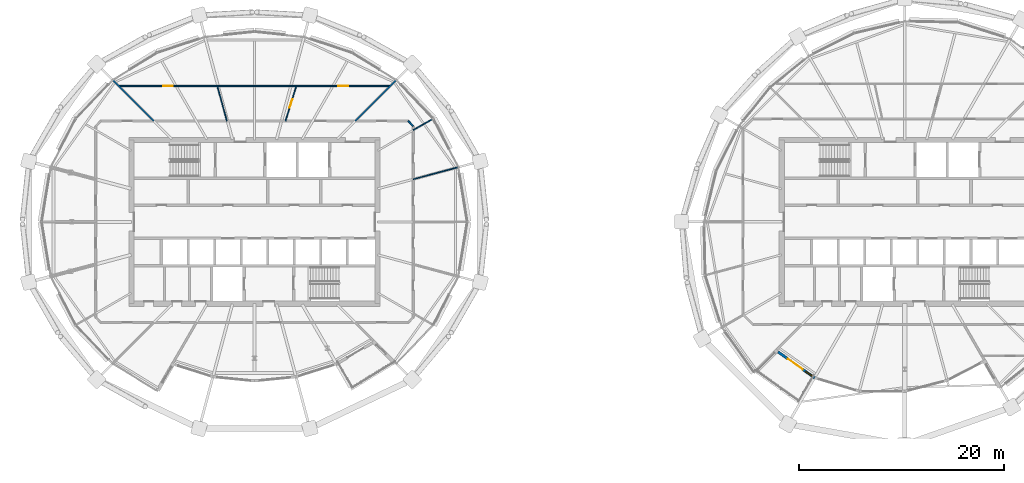
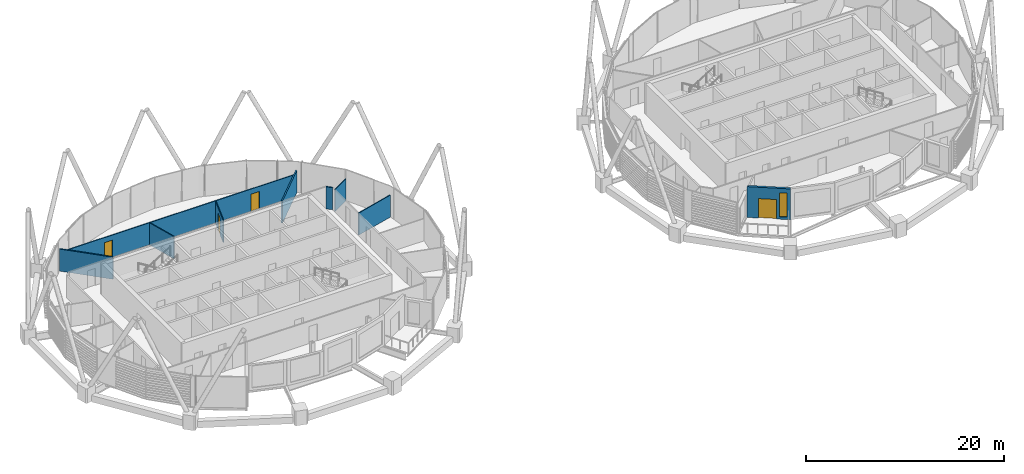
# One storey, part 23 of 34: 9 walls, 4 doors, 1 window, 5 openings.
"""IFC4 building model written with IfcOpenShell, lengths in metres."""

from ifc_helpers import new_model, si_unit, direction, frame, frame_2d, origin, place, context, subcontext, project, spatial, rectangle, extrude, material, layer, layer_set, type_object, element, fill, save


model = new_model("IFC4")

# Units and contexts
model_context = context("Model", 3, precision=1e-05, world=origin(), true_north=direction((0.0, 1.0)))
body_context = subcontext(model_context, "Body", "Model", "MODEL_VIEW")
ifc_project = project(units=[si_unit("LENGTHUNIT", "METRE"), si_unit("AREAUNIT", "SQUARE_METRE"), si_unit("VOLUMEUNIT", "CUBIC_METRE"), si_unit("PLANEANGLEUNIT", "RADIAN"), si_unit("MASSUNIT", "GRAM", prefix="KILO")], contexts=[model_context])

# Site, building, storey
site_placement = place(None, origin())
site = spatial("IfcSite", under=ifc_project, at=site_placement, CompositionType="ELEMENT")
building_placement = place(site_placement, origin())
building = spatial("IfcBuilding", under=site, at=building_placement, Name="Rimbun Link Towers", CompositionType="ELEMENT")
storey_placement = place(building_placement, frame((0.0, 0.0, 221.89990234375)))
storey = spatial("IfcBuildingStorey", under=building, at=storey_placement, Name="L54", CompositionType="ELEMENT", Elevation=221.89990234375)

# Wall, openings, door, window
ifc_material_1 = material(Name="Dark enamelled glass spandrel on insulated aluminium backpan", Category="aluminium")
ifc_layer_1 = layer(ifc_material_1, 0.25)
ifc_layer_set_1 = layer_set([ifc_layer_1], Name="CS dark enamelled spandrel wall 250")
wall_type_1 = type_object("IfcWallType", Name="CS dark enamelled spandrel wall 250", PredefinedType="STANDARD", material=ifc_layer_set_1)
wall_1_placement = place(storey_placement, frame((22.960205078125, -15.24169921875, 0.0), z_axis=(0.0, 0.0, 1.0), x_axis=(-0.815761140311, 0.57838893658, 0.0)))
wall_1 = element("IfcWall", 1, at=wall_1_placement, inside=storey, type_object=wall_type_1, Name="Crease spandrel wall", PredefinedType="STANDARD", context=body_context, shape_type="SweptSolid", body=[
    extrude(rectangle(XDim=4.374267578125, YDim=0.25, at=frame_2d((2.18701171875, 0.0))), origin(), (0.0, 0.0, 1.0), 3.800048828125),
])
opening_1_placement = place(wall_1_placement, frame((0.331787109375, 0.0, 0.300048828125)))
opening_1 = element("IfcOpeningElement", 2, at=opening_1_placement, cuts=wall_1, Name="Opening WR08H295", PredefinedType="OPENING", context=body_context, shape_type="SweptSolid", body=[
    extrude(rectangle(XDim=0.75, YDim=2.949951171875, at=frame_2d((0.375, 1.47509765625))), frame((0.0, 0.135009765625, 0.0), z_axis=(0.0, -1.0, 0.0), x_axis=(1.0, 0.0, 0.0)), (0.0, 0.0, 1.0), 0.27001953125),
])
opening_2_placement = place(wall_1_placement, frame((1.41357421875, 0.0, 0.0)))
opening_2 = element("IfcOpeningElement", 3, at=opening_2_placement, cuts=wall_1, Name="Opening ED82", PredefinedType="OPENING", context=body_context, shape_type="SweptSolid", body=[
    extrude(rectangle(XDim=1.800048828125, YDim=2.39990234375, at=frame_2d((0.89990234375, 1.199951171875))), frame((0.0, 0.135009765625, 0.0), z_axis=(0.0, -1.0, 0.0), x_axis=(1.0, 0.0, 0.0)), (0.0, 0.0, 1.0), 0.27001953125),
])
ifc_material_2 = material(Name="Aluminium framed glazed door, low-iron glass", Category="aluminium")
door_type_1 = type_object("IfcDoorType", Name="ED terrace door double leaf 1800X2400", OperationType="DOUBLE_DOOR_SINGLE_SWING", PredefinedType="DOOR", material=ifc_material_2)
door_1_placement = place(opening_2_placement, origin())
door_1 = element("IfcDoor", 4, at=door_1_placement, inside=storey, type_object=door_type_1, Name="Terrace door", OperationType="SINGLE_SWING_LEFT", OverallHeight=2.39990234375, OverallWidth=1.800048828125, PredefinedType="DOOR", context=body_context, shape_type="SweptSolid", body=[
    extrude(rectangle(XDim=1.800048828125, YDim=2.39990234375, at=frame_2d((0.89990234375, 1.199951171875))), frame((0.0, 0.02490234375, 0.0), z_axis=(0.0, -1.0, 0.0), x_axis=(1.0, 0.0, 0.0)), (0.0, 0.0, 1.0), 0.050048828125),
])
fill(opening_2, door_1)
ifc_material_3 = material(Name="Aluminium framed fixed window, dark tinted low-e glass", Category="aluminium")
window_type = type_object("IfcWindowType", Name="WR ribbon window 750X2950", PartitioningType="SINGLE_PANEL", PredefinedType="WINDOW", material=ifc_material_3)
window_placement = place(opening_1_placement, origin())
window = element("IfcWindow", 5, at=window_placement, inside=storey, type_object=window_type, Name="Crease ribbon window", OverallHeight=2.949951171875, OverallWidth=0.75, PartitioningType="SINGLE_PANEL", PredefinedType="WINDOW", context=body_context, shape_type="SweptSolid", body=[
    extrude(rectangle(XDim=0.75, YDim=2.949951171875, at=frame_2d((0.375, 1.47509765625))), frame((0.0, 0.030029296875, 0.0), z_axis=(0.0, -1.0, 0.0), x_axis=(1.0, 0.0, 0.0)), (0.0, 0.0, 1.0), 0.06005859375),
])
fill(opening_1, window)

# Walls
ifc_material_4 = material(Name="Plasterboard on steel stud, mineral wool", Category="steel")
ifc_layer_2 = layer(ifc_material_4, 0.14990234375)
ifc_layer_set_2 = layer_set([ifc_layer_2], Name="Corridor wall EI 30 150 mm")
wall_type_2 = type_object("IfcWallType", Name="Corridor wall EI 30 150 mm", PredefinedType="PARTITIONING", material=ifc_layer_set_2)
wall_2_placement = place(storey_placement, frame((-16.2451171875, 9.34375, 0.0), z_axis=(0.0, 0.0, 1.0), x_axis=(-0.707106781187, 0.707106781187, 0.0)))
element("IfcWall", 6, at=wall_2_placement, inside=storey, type_object=wall_type_2, Name="Corridor wall EI 30 150 mm", PredefinedType="PARTITIONING", context=body_context, shape_type="SweptSolid", body=[
    extrude(rectangle(XDim=0.708740234375, YDim=0.14990234375, at=frame_2d((0.3544921875, 0.0))), origin(), (0.0, 0.0, 1.0), 2.72216796875),
])
ifc_material_5 = material(Name="Plasterboard on steel stud", Category="steel")
ifc_layer_3 = layer(ifc_material_5, 0.10009765625)
ifc_layer_set_3 = layer_set([ifc_layer_3], Name="Plasterboard partition 100 mm")
wall_type_3 = type_object("IfcWallType", Name="Plasterboard partition 100 mm", PredefinedType="PARTITIONING", material=ifc_layer_set_3)
wall_3_placement = place(storey_placement, frame((-11.8828125, 5.323486328125, 0.0), z_axis=(0.0, 0.0, 1.0), x_axis=(-0.965921990313, -0.258833360735, 0.0)))
element("IfcWall", 7, at=wall_3_placement, inside=storey, type_object=wall_type_3, Name="Plasterboard partition 100 mm", PredefinedType="PARTITIONING", context=body_context, shape_type="SweptSolid", body=[
    extrude(rectangle(XDim=4.51611328125, YDim=0.10009765625, at=frame_2d((2.258056640625, 0.0))), origin(), (0.0, 0.0, 1.0), 2.72216796875),
])
wall_4_placement = place(storey_placement, frame((-14.331787109375, 10.056396484375, 0.0), z_axis=(0.0, 0.0, 1.0), x_axis=(-0.866058613861, -0.499942474047, 0.0)))
element("IfcWall", 8, at=wall_4_placement, inside=storey, type_object=wall_type_3, Name="Plasterboard partition 100 mm", PredefinedType="PARTITIONING", context=body_context, shape_type="SweptSolid", body=[
    extrude(rectangle(XDim=2.209228515625, YDim=0.10009765625, at=frame_2d((1.1044921875, 0.0))), origin(), (0.0, 0.0, 1.0), 2.72216796875),
])

# Wall, opening, door
wall_5_placement = place(storey_placement, frame((-28.71826171875, 9.844970703125, 0.0), z_axis=(0.0, 0.0, 1.0), x_axis=(0.294387864985, 0.955686028437, 0.0)))
wall_5 = element("IfcWall", 9, at=wall_5_placement, inside=storey, type_object=wall_type_3, Name="Plasterboard partition 100 mm", PredefinedType="PARTITIONING", context=body_context, shape_type="SweptSolid", body=[
    extrude(rectangle(XDim=3.57861328125, YDim=0.10009765625, at=frame_2d((1.789306640625, 0.0))), origin(), (0.0, 0.0, 1.0), 2.72216796875),
])
opening_3_placement = place(wall_5_placement, frame((1.33935546875, 0.0, 0.0)))
opening_3 = element("IfcOpeningElement", 10, at=opening_3_placement, cuts=wall_5, Name="Opening D04", PredefinedType="OPENING", context=body_context, shape_type="SweptSolid", body=[
    extrude(rectangle(XDim=0.89990234375, YDim=2.10009765625, at=frame_2d((0.449951171875, 1.050048828125))), frame((0.0, 0.06005859375, 0.0), z_axis=(0.0, -1.0, 0.0), x_axis=(1.0, 0.0, 0.0)), (0.0, 0.0, 1.0), 0.1201171875),
])
ifc_material_6 = material(Name="Timber door leaf", Category="wood")
door_type_2 = type_object("IfcDoorType", Name="Flush door 900", OperationType="NOTDEFINED", PredefinedType="DOOR", material=ifc_material_6)
door_2_placement = place(opening_3_placement, origin())
door_2 = element("IfcDoor", 11, at=door_2_placement, inside=storey, type_object=door_type_2, Name="Flush door 900 to Meeting room", OperationType="SINGLE_SWING_LEFT", OverallHeight=2.10009765625, OverallWidth=0.89990234375, PredefinedType="DOOR", context=body_context, shape_type="SweptSolid", body=[
    extrude(rectangle(XDim=0.89990234375, YDim=2.10009765625, at=frame_2d((0.449951171875, 1.050048828125))), frame((0.0, 0.02490234375, 0.0), z_axis=(0.0, -1.0, 0.0), x_axis=(1.0, 0.0, 0.0)), (0.0, 0.0, 1.0), 0.050048828125),
])
fill(opening_3, door_2)

# Wall, openings, doors
wall_6_placement = place(storey_placement, frame((-45.014892578125, 13.264892578125, 0.0), z_axis=(0.0, 0.0, 1.0), x_axis=(1.0, 0.0, 0.0)))
wall_6 = element("IfcWall", 12, at=wall_6_placement, inside=storey, type_object=wall_type_3, Name="Plasterboard partition 100 mm", PredefinedType="PARTITIONING", context=body_context, shape_type="SweptSolid", body=[
    extrude(rectangle(XDim=26.52978515625, YDim=0.10009765625, at=frame_2d((13.264892578125, 0.0))), origin(), (0.0, 0.0, 1.0), 2.72216796875),
])
opening_4_placement = place(wall_6_placement, frame((21.42431640625, 0.0, 0.0)))
opening_4 = element("IfcOpeningElement", 13, at=opening_4_placement, cuts=wall_6, Name="Opening D03", PredefinedType="OPENING", context=body_context, shape_type="SweptSolid", body=[
    extrude(rectangle(XDim=1.0, YDim=2.10009765625, at=frame_2d((0.5, 1.050048828125))), frame((0.0, 0.06005859375, 0.0), z_axis=(0.0, -1.0, 0.0), x_axis=(1.0, 0.0, 0.0)), (0.0, 0.0, 1.0), 0.1201171875),
])
opening_5_placement = place(wall_6_placement, frame((4.364990234375, 0.0, 0.0)))
opening_5 = element("IfcOpeningElement", 14, at=opening_5_placement, cuts=wall_6, Name="Opening D04", PredefinedType="OPENING", context=body_context, shape_type="SweptSolid", body=[
    extrude(rectangle(XDim=0.89990234375, YDim=2.10009765625, at=frame_2d((0.449951171875, 1.050048828125))), frame((0.0, 0.06005859375, 0.0), z_axis=(0.0, -1.0, 0.0), x_axis=(1.0, 0.0, 0.0)), (0.0, 0.0, 1.0), 0.1201171875),
])
ifc_material_7 = material(Name="Timber door leaf", Category="wood")
door_type_3 = type_object("IfcDoorType", Name="Flush door 1000", OperationType="NOTDEFINED", PredefinedType="DOOR", material=ifc_material_7)
door_3_placement = place(opening_4_placement, origin())
door_3 = element("IfcDoor", 15, at=door_3_placement, inside=storey, type_object=door_type_3, Name="Flush door 1000 to Open office", OperationType="SINGLE_SWING_RIGHT", OverallHeight=2.10009765625, OverallWidth=1.0, PredefinedType="DOOR", context=body_context, shape_type="SweptSolid", body=[
    extrude(rectangle(XDim=1.0, YDim=2.10009765625, at=frame_2d((0.5, 1.050048828125))), frame((0.0, 0.02490234375, 0.0), z_axis=(0.0, -1.0, 0.0), x_axis=(1.0, 0.0, 0.0)), (0.0, 0.0, 1.0), 0.050048828125),
])
fill(opening_4, door_3)
door_4_placement = place(opening_5_placement, origin())
door_4 = element("IfcDoor", 16, at=door_4_placement, inside=storey, type_object=door_type_2, Name="Flush door 900 to Print room", OperationType="SINGLE_SWING_LEFT", OverallHeight=2.10009765625, OverallWidth=0.89990234375, PredefinedType="DOOR", context=body_context, shape_type="SweptSolid", body=[
    extrude(rectangle(XDim=0.89990234375, YDim=2.10009765625, at=frame_2d((0.449951171875, 1.050048828125))), frame((0.0, 0.02490234375, 0.0), z_axis=(0.0, -1.0, 0.0), x_axis=(1.0, 0.0, 0.0)), (0.0, 0.0, 1.0), 0.050048828125),
])
fill(opening_5, door_4)

# Walls
wall_7_placement = place(storey_placement, frame((-35.385009765625, 13.264892578125, 0.0), z_axis=(0.0, 0.0, 1.0), x_axis=(0.264311470263, -0.964437373129, 0.0)))
element("IfcWall", 17, at=wall_7_placement, inside=storey, type_object=wall_type_3, Name="Plasterboard partition 100 mm", PredefinedType="PARTITIONING", context=body_context, shape_type="SweptSolid", body=[
    extrude(rectangle(XDim=3.546142578125, YDim=0.10009765625, at=frame_2d((1.77294921875, 0.0))), origin(), (0.0, 0.0, 1.0), 2.72216796875),
])
ifc_material_8 = material(Name="Plasterboard on steel stud, mineral wool", Category="steel")
ifc_layer_4 = layer(ifc_material_8, 0.14990234375)
ifc_layer_set_4 = layer_set([ifc_layer_4], Name="Tenancy separation wall EI 60 150 mm")
wall_type_4 = type_object("IfcWallType", Name="Tenancy separation wall EI 60 150 mm", PredefinedType="PARTITIONING", material=ifc_layer_set_4)
for number, where, z_axis, x_axis, name in (
    (18, (-21.905029296875, 9.844970703125, 0.0), (0.0, 0.0, 1.0), (0.707106781187, 0.707106781187, 0.0), "Tenancy separation wall EI 60 150 mm"),
    (19, (-41.594970703125, 9.844970703125, 0.0), (0.0, 0.0, 1.0), (-0.707106781187, 0.707106781187, 0.0), "Tenancy separation wall EI 60 150 mm"),
):
    element("IfcWall", number, at=place(storey_placement, frame(where, z_axis=z_axis, x_axis=x_axis)), inside=storey, type_object=wall_type_4, Name=name, PredefinedType="PARTITIONING", context=body_context, shape_type="SweptSolid", body=[
        extrude(rectangle(XDim=5.614501953125, YDim=0.14990234375, at=frame_2d((2.80712890625, 0.0))), origin(), (0.0, 0.0, 1.0), 2.72216796875),
    ])

save(model, "model.ifc")
